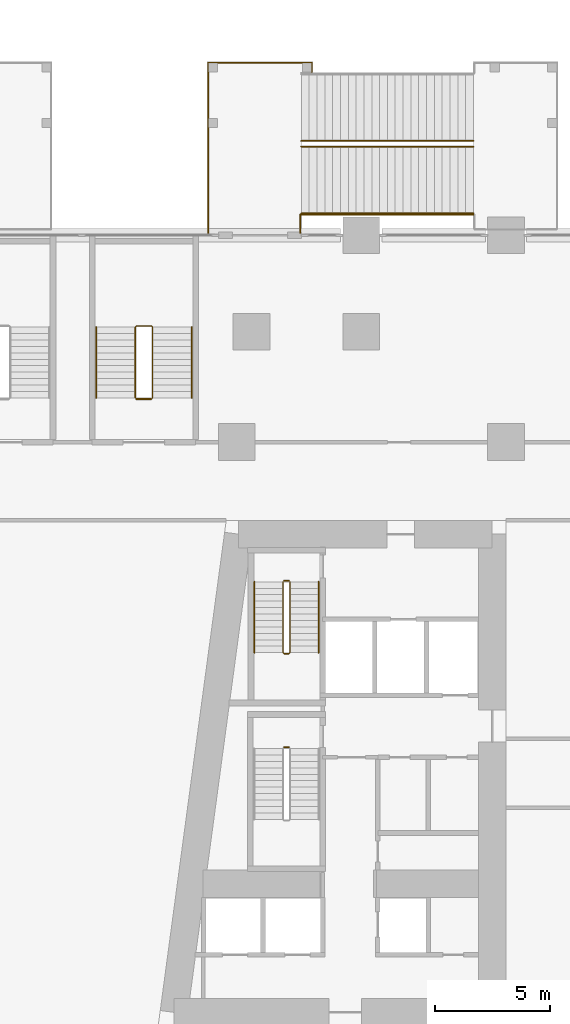
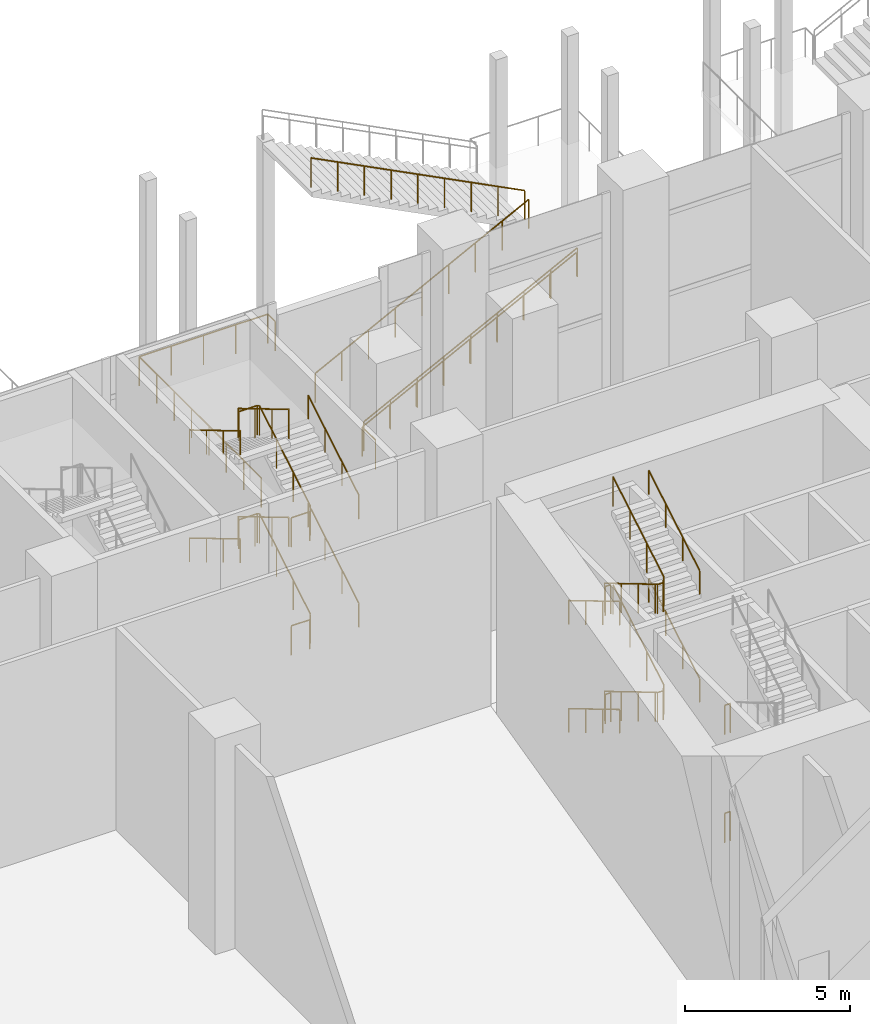
# One storey, part 45 of 52: 24 railings.
"""IFC4 building model written with IfcOpenShell, lengths in metres."""

from ifc_helpers import new_model, si_unit, direction, frame, origin, origin_2d, place, context, subcontext, project, spatial, circle, extrude, material, type_object, element, save


model = new_model("IFC4")

# Units and contexts
model_context = context("Model", 3, precision=1e-05, world=origin(), true_north=direction((0.0, 1.0)))
body_context = subcontext(model_context, "Body", "Model", "MODEL_VIEW")
ifc_project = project(units=[si_unit("LENGTHUNIT", "METRE"), si_unit("AREAUNIT", "SQUARE_METRE"), si_unit("VOLUMEUNIT", "CUBIC_METRE"), si_unit("PLANEANGLEUNIT", "RADIAN"), si_unit("MASSUNIT", "GRAM", prefix="KILO")], contexts=[model_context])

# Site, building, storey
site_placement = place(None, origin())
site = spatial("IfcSite", under=ifc_project, at=site_placement, CompositionType="ELEMENT")
building_placement = place(site_placement, origin())
building = spatial("IfcBuilding", under=site, at=building_placement, Name="Candeia Pilgrim Tower and Theatre", CompositionType="ELEMENT")
storey_placement = place(building_placement, frame((0.0, 0.0, 9.0)))
storey = spatial("IfcBuildingStorey", under=building, at=storey_placement, Name="L01", CompositionType="ELEMENT", Elevation=9.0)

# Railings
ifc_material_1 = material(Name="Stainless steel balustrade", Category="steel")
railing_type_1 = type_object("IfcRailingType", Name="RL-GUARD-1100", PredefinedType="GUARDRAIL", material=ifc_material_1)
for number, where, name in (
    (1, (91.152099609375, 122.52490234375, 4.0), "L01 ST1 stair guard 2"),
    (2, (91.152099609375, 122.52490234375, 0.0), "L01 ST1 stair guard 4"),
):
    element("IfcRailing", number, at=place(storey_placement, frame(where)), inside=storey, type_object=railing_type_1, Name=name, PredefinedType="GUARDRAIL", context=body_context, shape_type="SweptSolid", body=[
        extrude(circle(Radius=0.02392578125, at=origin_2d()), frame((0.0, 0.0, 1.076171875), z_axis=(1.0, 0.0, 0.0), x_axis=(0.0, 1.0, 0.0)), (0.0, 0.0, 1.0), 0.199951171875),
        extrude(circle(Radius=0.02099609375, at=origin_2d()), origin(), (0.0, 0.0, 1.0), 1.052001953125),
        extrude(circle(Radius=0.02099609375, at=origin_2d()), frame((0.199951171875, 0.0, 0.0)), (0.0, 0.0, 1.0), 1.052001953125),
    ])
railing_1_placement = place(storey_placement, frame((91.10205078125, 129.72509765625, 0.166748046875)))
element("IfcRailing", 3, at=railing_1_placement, inside=storey, type_object=railing_type_1, Name="L01 ST2 stair guard 1", PredefinedType="GUARDRAIL", context=body_context, shape_type="SweptSolid", body=[
    extrude(circle(Radius=0.02392578125, at=origin_2d()), frame((0.0, 0.0, 1.076171875), z_axis=(0.0, -0.859308565015, 0.511457515432), x_axis=(1.0, 0.0, 0.0)), (0.0, 0.0, 1.0), 3.58447265625),
    extrude(circle(Radius=0.02392578125, at=origin_2d()), frame((0.0, -3.080078125, 2.9091796875), z_axis=(0.707106781187, -0.707106781187, 0.0), x_axis=(0.707106781187, 0.707106781187, 0.0)), (0.0, 0.0, 1.0), 0.07080078125),
    extrude(circle(Radius=0.02392578125, at=origin_2d()), frame((0.050048828125, -3.130126953125, 2.9091796875), z_axis=(1.0, 0.0, 0.0), x_axis=(0.0, 1.0, 0.0)), (0.0, 0.0, 1.0), 0.199951171875),
    extrude(circle(Radius=0.02392578125, at=origin_2d()), frame((0.25, -3.130126953125, 2.9091796875), z_axis=(0.27628659633, 0.27628659633, 0.920506074601), x_axis=(-0.707106781187, 0.707106781187, 0.0)), (0.0, 0.0, 1.0), 0.18115234375),
    extrude(circle(Radius=0.02392578125, at=origin_2d()), frame((0.300048828125, -3.080078125, 3.076171875), z_axis=(0.0, 0.859308565015, 0.511457515432), x_axis=(-1.0, 0.0, 0.0)), (0.0, 0.0, 1.0), 3.58447265625),
    extrude(circle(Radius=0.02099609375, at=origin_2d()), origin(), (0.0, 0.0, 1.0), 1.052001953125),
    extrude(circle(Radius=0.02099609375, at=origin_2d()), frame((0.0, -1.026611328125, 0.611083984375)), (0.0, 0.0, 1.0), 1.052001953125),
    extrude(circle(Radius=0.02099609375, at=origin_2d()), frame((0.0, -2.053466796875, 1.22216796875)), (0.0, 0.0, 1.0), 1.052001953125),
    extrude(circle(Radius=0.02099609375, at=origin_2d()), frame((0.0, -3.080078125, 1.833251953125)), (0.0, 0.0, 1.0), 1.052001953125),
    extrude(circle(Radius=0.02099609375, at=origin_2d()), frame((0.050048828125, -3.130126953125, 1.833251953125)), (0.0, 0.0, 1.0), 1.052001953125),
    extrude(circle(Radius=0.02099609375, at=origin_2d()), frame((0.25, -3.130126953125, 1.833251953125)), (0.0, 0.0, 1.0), 1.052001953125),
    extrude(circle(Radius=0.02099609375, at=origin_2d()), frame((0.300048828125, -3.080078125, 2.0)), (0.0, 0.0, 1.0), 1.052001953125),
    extrude(circle(Radius=0.02099609375, at=origin_2d()), frame((0.300048828125, -2.053466796875, 2.611083984375)), (0.0, 0.0, 1.0), 1.052001953125),
    extrude(circle(Radius=0.02099609375, at=origin_2d()), frame((0.300048828125, -1.026611328125, 3.22216796875)), (0.0, 0.0, 1.0), 1.052001953125),
    extrude(circle(Radius=0.02099609375, at=origin_2d()), frame((0.300048828125, 0.0, 3.833251953125)), (0.0, 0.0, 1.0), 1.052001953125),
])
railing_2_placement = place(storey_placement, frame((91.152099609375, 129.77490234375, 4.0)))
element("IfcRailing", 4, at=railing_2_placement, inside=storey, type_object=railing_type_1, Name="L01 ST2 stair guard 2", PredefinedType="GUARDRAIL", context=body_context, shape_type="SweptSolid", body=[
    extrude(circle(Radius=0.02392578125, at=origin_2d()), frame((0.0, 0.0, 1.076171875), z_axis=(1.0, 0.0, 0.0), x_axis=(0.0, 1.0, 0.0)), (0.0, 0.0, 1.0), 0.199951171875),
    extrude(circle(Radius=0.02099609375, at=origin_2d()), origin(), (0.0, 0.0, 1.0), 1.052001953125),
    extrude(circle(Radius=0.02099609375, at=origin_2d()), frame((0.199951171875, 0.0, 0.0)), (0.0, 0.0, 1.0), 1.052001953125),
])
railing_3_placement = place(storey_placement, frame((91.10205078125, 129.72509765625, 4.166748046875)))
element("IfcRailing", 5, at=railing_3_placement, inside=storey, type_object=railing_type_1, Name="L01 ST2 stair guard 3", PredefinedType="GUARDRAIL", context=body_context, shape_type="SweptSolid", body=[
    extrude(circle(Radius=0.02392578125, at=origin_2d()), frame((0.0, 0.0, 1.076171875), z_axis=(0.0, -0.859308565015, 0.511457515432), x_axis=(1.0, 0.0, 0.0)), (0.0, 0.0, 1.0), 3.58447265625),
    extrude(circle(Radius=0.02392578125, at=origin_2d()), frame((0.0, -3.080078125, 2.9091796875), z_axis=(0.707106781187, -0.707106781187, 0.0), x_axis=(0.707106781187, 0.707106781187, 0.0)), (0.0, 0.0, 1.0), 0.07080078125),
    extrude(circle(Radius=0.02392578125, at=origin_2d()), frame((0.050048828125, -3.130126953125, 2.9091796875), z_axis=(1.0, 0.0, 0.0), x_axis=(0.0, 1.0, 0.0)), (0.0, 0.0, 1.0), 0.199951171875),
    extrude(circle(Radius=0.02392578125, at=origin_2d()), frame((0.25, -3.130126953125, 2.9091796875), z_axis=(0.27628659633, 0.27628659633, 0.920506074601), x_axis=(-0.707106781187, 0.707106781187, 0.0)), (0.0, 0.0, 1.0), 0.18115234375),
    extrude(circle(Radius=0.02392578125, at=origin_2d()), frame((0.300048828125, -3.080078125, 3.076171875), z_axis=(0.0, 0.859308565015, 0.511457515432), x_axis=(-1.0, 0.0, 0.0)), (0.0, 0.0, 1.0), 3.58447265625),
    extrude(circle(Radius=0.02099609375, at=origin_2d()), origin(), (0.0, 0.0, 1.0), 1.052001953125),
    extrude(circle(Radius=0.02099609375, at=origin_2d()), frame((0.0, -1.026611328125, 0.611083984375)), (0.0, 0.0, 1.0), 1.052001953125),
    extrude(circle(Radius=0.02099609375, at=origin_2d()), frame((0.0, -2.053466796875, 1.22216796875)), (0.0, 0.0, 1.0), 1.052001953125),
    extrude(circle(Radius=0.02099609375, at=origin_2d()), frame((0.0, -3.080078125, 1.833251953125)), (0.0, 0.0, 1.0), 1.052001953125),
    extrude(circle(Radius=0.02099609375, at=origin_2d()), frame((0.050048828125, -3.130126953125, 1.833251953125)), (0.0, 0.0, 1.0), 1.052001953125),
    extrude(circle(Radius=0.02099609375, at=origin_2d()), frame((0.25, -3.130126953125, 1.833251953125)), (0.0, 0.0, 1.0), 1.052001953125),
    extrude(circle(Radius=0.02099609375, at=origin_2d()), frame((0.300048828125, -3.080078125, 2.0)), (0.0, 0.0, 1.0), 1.052001953125),
    extrude(circle(Radius=0.02099609375, at=origin_2d()), frame((0.300048828125, -2.053466796875, 2.611083984375)), (0.0, 0.0, 1.0), 1.052001953125),
    extrude(circle(Radius=0.02099609375, at=origin_2d()), frame((0.300048828125, -1.026611328125, 3.22216796875)), (0.0, 0.0, 1.0), 1.052001953125),
    extrude(circle(Radius=0.02099609375, at=origin_2d()), frame((0.300048828125, 0.0, 3.833251953125)), (0.0, 0.0, 1.0), 1.052001953125),
])
railing_4_placement = place(storey_placement, frame((91.152099609375, 129.77490234375, 0.0)))
element("IfcRailing", 6, at=railing_4_placement, inside=storey, type_object=railing_type_1, Name="L01 ST2 stair guard 4", PredefinedType="GUARDRAIL", context=body_context, shape_type="SweptSolid", body=[
    extrude(circle(Radius=0.02392578125, at=origin_2d()), frame((0.0, 0.0, 1.076171875), z_axis=(1.0, 0.0, 0.0), x_axis=(0.0, 1.0, 0.0)), (0.0, 0.0, 1.0), 0.199951171875),
    extrude(circle(Radius=0.02099609375, at=origin_2d()), origin(), (0.0, 0.0, 1.0), 1.052001953125),
    extrude(circle(Radius=0.02099609375, at=origin_2d()), frame((0.199951171875, 0.0, 0.0)), (0.0, 0.0, 1.0), 1.052001953125),
])
railing_5_placement = place(storey_placement, frame((85.425048828125, 137.72509765625, 0.166748046875)))
element("IfcRailing", 7, at=railing_5_placement, inside=storey, type_object=railing_type_1, Name="L01 PS2 stair guard 1", PredefinedType="GUARDRAIL", context=body_context, shape_type="SweptSolid", body=[
    extrude(circle(Radius=0.02392578125, at=origin_2d()), frame((0.0, 0.0, 1.076171875), z_axis=(0.0, 0.859290745958, 0.51148745235), x_axis=(-1.0, 0.0, 0.0)), (0.0, 0.0, 1.0), 3.584228515625),
    extrude(circle(Radius=0.02392578125, at=origin_2d()), frame((0.0, 3.079833984375, 2.9091796875), z_axis=(-0.707106781187, 0.707106781187, 0.0), x_axis=(-0.707106781187, -0.707106781187, 0.0)), (0.0, 0.0, 1.0), 0.07080078125),
    extrude(circle(Radius=0.02392578125, at=origin_2d()), frame((-0.050048828125, 3.1298828125, 2.9091796875), z_axis=(-1.0, 0.0, 0.0), x_axis=(0.0, -1.0, 0.0)), (0.0, 0.0, 1.0), 0.64990234375),
    extrude(circle(Radius=0.02392578125, at=origin_2d()), frame((-0.699951171875, 3.1298828125, 2.9091796875), z_axis=(-0.27628659633, -0.27628659633, 0.920506074601), x_axis=(0.707106781187, -0.707106781187, 0.0)), (0.0, 0.0, 1.0), 0.18115234375),
    extrude(circle(Radius=0.02392578125, at=origin_2d()), frame((-0.75, 3.079833984375, 3.076171875), z_axis=(0.0, -0.859290745958, 0.51148745235), x_axis=(1.0, 0.0, 0.0)), (0.0, 0.0, 1.0), 3.584228515625),
    extrude(circle(Radius=0.02099609375, at=origin_2d()), origin(), (0.0, 0.0, 1.0), 1.052001953125),
    extrude(circle(Radius=0.02099609375, at=origin_2d()), frame((0.0, 1.026611328125, 0.611083984375)), (0.0, 0.0, 1.0), 1.052001953125),
    extrude(circle(Radius=0.02099609375, at=origin_2d()), frame((0.0, 2.05322265625, 1.22216796875)), (0.0, 0.0, 1.0), 1.052001953125),
    extrude(circle(Radius=0.02099609375, at=origin_2d()), frame((0.0, 3.079833984375, 1.833251953125)), (0.0, 0.0, 1.0), 1.052001953125),
    extrude(circle(Radius=0.02099609375, at=origin_2d()), frame((-0.050048828125, 3.1298828125, 1.833251953125)), (0.0, 0.0, 1.0), 1.052001953125),
    extrude(circle(Radius=0.02099609375, at=origin_2d()), frame((-0.699951171875, 3.1298828125, 1.833251953125)), (0.0, 0.0, 1.0), 1.052001953125),
    extrude(circle(Radius=0.02099609375, at=origin_2d()), frame((-0.75, 3.079833984375, 2.0)), (0.0, 0.0, 1.0), 1.052001953125),
    extrude(circle(Radius=0.02099609375, at=origin_2d()), frame((-0.75, 2.05322265625, 2.611083984375)), (0.0, 0.0, 1.0), 1.052001953125),
    extrude(circle(Radius=0.02099609375, at=origin_2d()), frame((-0.75, 1.026611328125, 3.22216796875)), (0.0, 0.0, 1.0), 1.052001953125),
    extrude(circle(Radius=0.02099609375, at=origin_2d()), frame((-0.75, 0.0, 3.833251953125)), (0.0, 0.0, 1.0), 1.052001953125),
])
railing_6_placement = place(storey_placement, frame((85.375, 137.675048828125, 4.0)))
element("IfcRailing", 8, at=railing_6_placement, inside=storey, type_object=railing_type_1, Name="L01 PS2 stair guard 2", PredefinedType="GUARDRAIL", context=body_context, shape_type="SweptSolid", body=[
    extrude(circle(Radius=0.02392578125, at=origin_2d()), frame((0.0, 0.0, 1.076171875), z_axis=(-1.0, 0.0, 0.0), x_axis=(0.0, -1.0, 0.0)), (0.0, 0.0, 1.0), 0.64990234375),
    extrude(circle(Radius=0.02099609375, at=origin_2d()), origin(), (0.0, 0.0, 1.0), 1.052001953125),
    extrude(circle(Radius=0.02099609375, at=origin_2d()), frame((-0.64990234375, 0.0, 0.0)), (0.0, 0.0, 1.0), 1.052001953125),
])
railing_7_placement = place(storey_placement, frame((85.425048828125, 137.72509765625, 4.166748046875)))
element("IfcRailing", 9, at=railing_7_placement, inside=storey, type_object=railing_type_1, Name="L01 PS2 stair guard 3", PredefinedType="GUARDRAIL", context=body_context, shape_type="SweptSolid", body=[
    extrude(circle(Radius=0.02392578125, at=origin_2d()), frame((0.0, 0.0, 1.076171875), z_axis=(0.0, 0.859290745958, 0.51148745235), x_axis=(-1.0, 0.0, 0.0)), (0.0, 0.0, 1.0), 3.584228515625),
    extrude(circle(Radius=0.02392578125, at=origin_2d()), frame((0.0, 3.079833984375, 2.9091796875), z_axis=(-0.707106781187, 0.707106781187, 0.0), x_axis=(-0.707106781187, -0.707106781187, 0.0)), (0.0, 0.0, 1.0), 0.07080078125),
    extrude(circle(Radius=0.02392578125, at=origin_2d()), frame((-0.050048828125, 3.1298828125, 2.9091796875), z_axis=(-1.0, 0.0, 0.0), x_axis=(0.0, -1.0, 0.0)), (0.0, 0.0, 1.0), 0.64990234375),
    extrude(circle(Radius=0.02392578125, at=origin_2d()), frame((-0.699951171875, 3.1298828125, 2.9091796875), z_axis=(-0.27628659633, -0.27628659633, 0.920506074601), x_axis=(0.707106781187, -0.707106781187, 0.0)), (0.0, 0.0, 1.0), 0.18115234375),
    extrude(circle(Radius=0.02392578125, at=origin_2d()), frame((-0.75, 3.079833984375, 3.076171875), z_axis=(0.0, -0.859290745958, 0.51148745235), x_axis=(1.0, 0.0, 0.0)), (0.0, 0.0, 1.0), 3.584228515625),
    extrude(circle(Radius=0.02099609375, at=origin_2d()), origin(), (0.0, 0.0, 1.0), 1.052001953125),
    extrude(circle(Radius=0.02099609375, at=origin_2d()), frame((0.0, 1.026611328125, 0.611083984375)), (0.0, 0.0, 1.0), 1.052001953125),
    extrude(circle(Radius=0.02099609375, at=origin_2d()), frame((0.0, 2.05322265625, 1.22216796875)), (0.0, 0.0, 1.0), 1.052001953125),
    extrude(circle(Radius=0.02099609375, at=origin_2d()), frame((0.0, 3.079833984375, 1.833251953125)), (0.0, 0.0, 1.0), 1.052001953125),
    extrude(circle(Radius=0.02099609375, at=origin_2d()), frame((-0.050048828125, 3.1298828125, 1.833251953125)), (0.0, 0.0, 1.0), 1.052001953125),
    extrude(circle(Radius=0.02099609375, at=origin_2d()), frame((-0.699951171875, 3.1298828125, 1.833251953125)), (0.0, 0.0, 1.0), 1.052001953125),
    extrude(circle(Radius=0.02099609375, at=origin_2d()), frame((-0.75, 3.079833984375, 2.0)), (0.0, 0.0, 1.0), 1.052001953125),
    extrude(circle(Radius=0.02099609375, at=origin_2d()), frame((-0.75, 2.05322265625, 2.611083984375)), (0.0, 0.0, 1.0), 1.052001953125),
    extrude(circle(Radius=0.02099609375, at=origin_2d()), frame((-0.75, 1.026611328125, 3.22216796875)), (0.0, 0.0, 1.0), 1.052001953125),
    extrude(circle(Radius=0.02099609375, at=origin_2d()), frame((-0.75, 0.0, 3.833251953125)), (0.0, 0.0, 1.0), 1.052001953125),
])
railing_8_placement = place(storey_placement, frame((85.375, 137.675048828125, 0.0)))
element("IfcRailing", 10, at=railing_8_placement, inside=storey, type_object=railing_type_1, Name="L01 PS2 stair guard 4", PredefinedType="GUARDRAIL", context=body_context, shape_type="SweptSolid", body=[
    extrude(circle(Radius=0.02392578125, at=origin_2d()), frame((0.0, 0.0, 1.076171875), z_axis=(-1.0, 0.0, 0.0), x_axis=(0.0, -1.0, 0.0)), (0.0, 0.0, 1.0), 0.64990234375),
    extrude(circle(Radius=0.02099609375, at=origin_2d()), origin(), (0.0, 0.0, 1.0), 1.052001953125),
    extrude(circle(Radius=0.02099609375, at=origin_2d()), frame((-0.64990234375, 0.0, 0.0)), (0.0, 0.0, 1.0), 1.052001953125),
])
railing_9_placement = place(storey_placement, frame((91.89990234375, 148.64990234375, 0.173828125)))
element("IfcRailing", 11, at=railing_9_placement, inside=storey, type_object=railing_type_1, Name="L01 ES5 stair guard 1", PredefinedType="GUARDRAIL", context=body_context, shape_type="SweptSolid", body=[
    extrude(circle(Radius=0.02392578125, at=origin_2d()), frame((0.0, 0.0, 1.076171875), z_axis=(0.890286522184, 0.0, 0.455400821714), x_axis=(0.0, 1.0, 0.0)), (0.0, 0.0, 1.0), 8.40185546875),
    extrude(circle(Radius=0.02099609375, at=origin_2d()), origin(), (0.0, 0.0, 1.0), 1.052001953125),
    extrude(circle(Radius=0.02099609375, at=origin_2d()), frame((0.93505859375, 0.0, 0.478271484375)), (0.0, 0.0, 1.0), 1.052001953125),
    extrude(circle(Radius=0.02099609375, at=origin_2d()), frame((1.8701171875, 0.0, 0.95654296875)), (0.0, 0.0, 1.0), 1.052001953125),
    extrude(circle(Radius=0.02099609375, at=origin_2d()), frame((2.804931640625, 0.0, 1.434814453125)), (0.0, 0.0, 1.0), 1.052001953125),
    extrude(circle(Radius=0.02099609375, at=origin_2d()), frame((3.739990234375, 0.0, 1.9130859375)), (0.0, 0.0, 1.0), 1.052001953125),
    extrude(circle(Radius=0.02099609375, at=origin_2d()), frame((4.675048828125, 0.0, 2.391357421875)), (0.0, 0.0, 1.0), 1.052001953125),
    extrude(circle(Radius=0.02099609375, at=origin_2d()), frame((5.60986328125, 0.0, 2.86962890625)), (0.0, 0.0, 1.0), 1.052001953125),
    extrude(circle(Radius=0.02099609375, at=origin_2d()), frame((6.544921875, 0.0, 3.347900390625)), (0.0, 0.0, 1.0), 1.052001953125),
    extrude(circle(Radius=0.02099609375, at=origin_2d()), frame((7.47998046875, 0.0, 3.826171875)), (0.0, 0.0, 1.0), 1.052001953125),
])
railing_10_placement = place(storey_placement, frame((99.3798828125, 148.89990234375, 4.173828125)))
element("IfcRailing", 12, at=railing_10_placement, inside=storey, type_object=railing_type_1, Name="L01 ES5 stair guard 2", PredefinedType="GUARDRAIL", context=body_context, shape_type="SweptSolid", body=[
    extrude(circle(Radius=0.02392578125, at=origin_2d()), frame((0.0, 0.0, 1.076171875), z_axis=(-0.890286522184, 0.0, 0.455400821714), x_axis=(0.0, -1.0, 0.0)), (0.0, 0.0, 1.0), 8.40185546875),
    extrude(circle(Radius=0.02099609375, at=origin_2d()), origin(), (0.0, 0.0, 1.0), 1.052001953125),
    extrude(circle(Radius=0.02099609375, at=origin_2d()), frame((-0.93505859375, 0.0, 0.478271484375)), (0.0, 0.0, 1.0), 1.052001953125),
    extrude(circle(Radius=0.02099609375, at=origin_2d()), frame((-1.8701171875, 0.0, 0.95654296875)), (0.0, 0.0, 1.0), 1.052001953125),
    extrude(circle(Radius=0.02099609375, at=origin_2d()), frame((-2.804931640625, 0.0, 1.434814453125)), (0.0, 0.0, 1.0), 1.052001953125),
    extrude(circle(Radius=0.02099609375, at=origin_2d()), frame((-3.739990234375, 0.0, 1.9130859375)), (0.0, 0.0, 1.0), 1.052001953125),
    extrude(circle(Radius=0.02099609375, at=origin_2d()), frame((-4.675048828125, 0.0, 2.391357421875)), (0.0, 0.0, 1.0), 1.052001953125),
    extrude(circle(Radius=0.02099609375, at=origin_2d()), frame((-5.60986328125, 0.0, 2.86962890625)), (0.0, 0.0, 1.0), 1.052001953125),
    extrude(circle(Radius=0.02099609375, at=origin_2d()), frame((-6.544921875, 0.0, 3.347900390625)), (0.0, 0.0, 1.0), 1.052001953125),
    extrude(circle(Radius=0.02099609375, at=origin_2d()), frame((-7.47998046875, 0.0, 3.826171875)), (0.0, 0.0, 1.0), 1.052001953125),
])
railing_11_placement = place(storey_placement, frame((91.89990234375, 145.699951171875, 0.173828125)))
element("IfcRailing", 13, at=railing_11_placement, inside=storey, type_object=railing_type_1, Name="L01 ES5 stair guard 3", PredefinedType="GUARDRAIL", context=body_context, shape_type="SweptSolid", body=[
    extrude(circle(Radius=0.02392578125, at=origin_2d()), frame((0.0, 0.0, 1.076171875), z_axis=(0.890286522184, 0.0, 0.455400821714), x_axis=(0.0, 1.0, 0.0)), (0.0, 0.0, 1.0), 8.40185546875),
    extrude(circle(Radius=0.02099609375, at=origin_2d()), origin(), (0.0, 0.0, 1.0), 1.052001953125),
    extrude(circle(Radius=0.02099609375, at=origin_2d()), frame((0.93505859375, 0.0, 0.478271484375)), (0.0, 0.0, 1.0), 1.052001953125),
    extrude(circle(Radius=0.02099609375, at=origin_2d()), frame((1.8701171875, 0.0, 0.95654296875)), (0.0, 0.0, 1.0), 1.052001953125),
    extrude(circle(Radius=0.02099609375, at=origin_2d()), frame((2.804931640625, 0.0, 1.434814453125)), (0.0, 0.0, 1.0), 1.052001953125),
    extrude(circle(Radius=0.02099609375, at=origin_2d()), frame((3.739990234375, 0.0, 1.9130859375)), (0.0, 0.0, 1.0), 1.052001953125),
    extrude(circle(Radius=0.02099609375, at=origin_2d()), frame((4.675048828125, 0.0, 2.391357421875)), (0.0, 0.0, 1.0), 1.052001953125),
    extrude(circle(Radius=0.02099609375, at=origin_2d()), frame((5.60986328125, 0.0, 2.86962890625)), (0.0, 0.0, 1.0), 1.052001953125),
    extrude(circle(Radius=0.02099609375, at=origin_2d()), frame((6.544921875, 0.0, 3.347900390625)), (0.0, 0.0, 1.0), 1.052001953125),
    extrude(circle(Radius=0.02099609375, at=origin_2d()), frame((7.47998046875, 0.0, 3.826171875)), (0.0, 0.0, 1.0), 1.052001953125),
])
railing_12_placement = place(storey_placement, frame((87.85009765625, 144.89990234375, 0.0)))
element("IfcRailing", 14, at=railing_12_placement, inside=storey, type_object=railing_type_1, Name="L01 External escape stair ES5 landing guard", PredefinedType="GUARDRAIL", context=body_context, shape_type="SweptSolid", body=[
    extrude(circle(Radius=0.02392578125, at=origin_2d()), frame((0.0, 0.0, 1.076171875), z_axis=(0.0, 1.0, 0.0), x_axis=(-1.0, 0.0, 0.0)), (0.0, 0.0, 1.0), 7.400146484375),
    extrude(circle(Radius=0.02392578125, at=origin_2d()), frame((0.0, 7.400146484375, 1.076171875), z_axis=(1.0, 0.0, 0.0), x_axis=(0.0, 1.0, 0.0)), (0.0, 0.0, 1.0), 4.5),
    extrude(circle(Radius=0.02392578125, at=origin_2d()), frame((4.5, 7.400146484375, 1.076171875), z_axis=(0.0, -1.0, 0.0), x_axis=(1.0, 0.0, 0.0)), (0.0, 0.0, 1.0), 0.449951171875),
    extrude(circle(Radius=0.02099609375, at=origin_2d()), origin(), (0.0, 0.0, 1.0), 1.052001953125),
    extrude(circle(Radius=0.02099609375, at=origin_2d()), frame((0.0, 1.05712890625, 0.0)), (0.0, 0.0, 1.0), 1.052001953125),
    extrude(circle(Radius=0.02099609375, at=origin_2d()), frame((0.0, 2.1142578125, 0.0)), (0.0, 0.0, 1.0), 1.052001953125),
    extrude(circle(Radius=0.02099609375, at=origin_2d()), frame((0.0, 3.17138671875, 0.0)), (0.0, 0.0, 1.0), 1.052001953125),
    extrude(circle(Radius=0.02099609375, at=origin_2d()), frame((0.0, 4.228759765625, 0.0)), (0.0, 0.0, 1.0), 1.052001953125),
    extrude(circle(Radius=0.02099609375, at=origin_2d()), frame((0.0, 5.285888671875, 0.0)), (0.0, 0.0, 1.0), 1.052001953125),
    extrude(circle(Radius=0.02099609375, at=origin_2d()), frame((0.0, 6.343017578125, 0.0)), (0.0, 0.0, 1.0), 1.052001953125),
    extrude(circle(Radius=0.02099609375, at=origin_2d()), frame((0.0, 7.400146484375, 0.0)), (0.0, 0.0, 1.0), 1.052001953125),
    extrude(circle(Radius=0.02099609375, at=origin_2d()), frame((1.125, 7.400146484375, 0.0)), (0.0, 0.0, 1.0), 1.052001953125),
    extrude(circle(Radius=0.02099609375, at=origin_2d()), frame((2.25, 7.400146484375, 0.0)), (0.0, 0.0, 1.0), 1.052001953125),
    extrude(circle(Radius=0.02099609375, at=origin_2d()), frame((3.375, 7.400146484375, 0.0)), (0.0, 0.0, 1.0), 1.052001953125),
    extrude(circle(Radius=0.02099609375, at=origin_2d()), frame((4.5, 7.400146484375, 0.0)), (0.0, 0.0, 1.0), 1.052001953125),
    extrude(circle(Radius=0.02099609375, at=origin_2d()), frame((4.5, 6.9501953125, 0.0)), (0.0, 0.0, 1.0), 1.052001953125),
])
railing_13_placement = place(storey_placement, frame((91.85009765625, 144.89990234375, 0.0)))
element("IfcRailing", 15, at=railing_13_placement, inside=storey, type_object=railing_type_1, Name="L01 External escape stair ES5 bridge guard", PredefinedType="GUARDRAIL", context=body_context, shape_type="SweptSolid", body=[
    extrude(circle(Radius=0.02392578125, at=origin_2d()), frame((0.0, 0.0, 1.076171875), z_axis=(0.0, 1.0, 0.0), x_axis=(-1.0, 0.0, 0.0)), (0.0, 0.0, 1.0), 0.800048828125),
    extrude(circle(Radius=0.02099609375, at=origin_2d()), origin(), (0.0, 0.0, 1.0), 1.052001953125),
    extrude(circle(Radius=0.02099609375, at=origin_2d()), frame((0.0, 0.800048828125, 0.0)), (0.0, 0.0, 1.0), 1.052001953125),
])
ifc_material_2 = material(Name="Stainless steel handrail", Category="steel")
railing_type_2 = type_object("IfcRailingType", Name="RL-HANDRAIL-900", PredefinedType="HANDRAIL", material=ifc_material_2)
railing_14_placement = place(storey_placement, frame((89.85205078125, 129.72509765625, 0.166748046875)))
element("IfcRailing", 16, at=railing_14_placement, inside=storey, type_object=railing_type_2, Name="L01 ST2 stair handrail 1", PredefinedType="HANDRAIL", context=body_context, shape_type="SweptSolid", body=[
    extrude(circle(Radius=0.02392578125, at=origin_2d()), frame((0.0, 0.0, 0.8759765625), z_axis=(0.0, -0.859308565015, 0.511457515432), x_axis=(1.0, 0.0, 0.0)), (0.0, 0.0, 1.0), 3.58447265625),
    extrude(circle(Radius=0.02099609375, at=origin_2d()), origin(), (0.0, 0.0, 1.0), 0.851806640625),
    extrude(circle(Radius=0.02099609375, at=origin_2d()), frame((0.0, -1.026611328125, 0.611083984375)), (0.0, 0.0, 1.0), 0.851806640625),
    extrude(circle(Radius=0.02099609375, at=origin_2d()), frame((0.0, -2.053466796875, 1.22216796875)), (0.0, 0.0, 1.0), 0.851806640625),
    extrude(circle(Radius=0.02099609375, at=origin_2d()), frame((0.0, -3.080078125, 1.833251953125)), (0.0, 0.0, 1.0), 0.851806640625),
])
railing_15_placement = place(storey_placement, frame((92.652099609375, 126.64501953125, 2.166748046875)))
element("IfcRailing", 17, at=railing_15_placement, inside=storey, type_object=railing_type_2, Name="L01 ST2 stair handrail 2", PredefinedType="HANDRAIL", context=body_context, shape_type="SweptSolid", body=[
    extrude(circle(Radius=0.02392578125, at=origin_2d()), frame((0.0, 0.0, 0.8759765625), z_axis=(0.0, 0.859308565015, 0.511457515432), x_axis=(-1.0, 0.0, 0.0)), (0.0, 0.0, 1.0), 3.58447265625),
    extrude(circle(Radius=0.02099609375, at=origin_2d()), origin(), (0.0, 0.0, 1.0), 0.851806640625),
    extrude(circle(Radius=0.02099609375, at=origin_2d()), frame((0.0, 1.026611328125, 0.611083984375)), (0.0, 0.0, 1.0), 0.851806640625),
    extrude(circle(Radius=0.02099609375, at=origin_2d()), frame((0.0, 2.053466796875, 1.22216796875)), (0.0, 0.0, 1.0), 0.851806640625),
    extrude(circle(Radius=0.02099609375, at=origin_2d()), frame((0.0, 3.080078125, 1.833251953125)), (0.0, 0.0, 1.0), 0.851806640625),
])
railing_16_placement = place(storey_placement, frame((89.85205078125, 129.72509765625, 4.166748046875)))
element("IfcRailing", 18, at=railing_16_placement, inside=storey, type_object=railing_type_2, Name="L01 ST2 stair handrail 3", PredefinedType="HANDRAIL", context=body_context, shape_type="SweptSolid", body=[
    extrude(circle(Radius=0.02392578125, at=origin_2d()), frame((0.0, 0.0, 0.8759765625), z_axis=(0.0, -0.859308565015, 0.511457515432), x_axis=(1.0, 0.0, 0.0)), (0.0, 0.0, 1.0), 3.58447265625),
    extrude(circle(Radius=0.02099609375, at=origin_2d()), origin(), (0.0, 0.0, 1.0), 0.851806640625),
    extrude(circle(Radius=0.02099609375, at=origin_2d()), frame((0.0, -1.026611328125, 0.611083984375)), (0.0, 0.0, 1.0), 0.851806640625),
    extrude(circle(Radius=0.02099609375, at=origin_2d()), frame((0.0, -2.053466796875, 1.22216796875)), (0.0, 0.0, 1.0), 0.851806640625),
    extrude(circle(Radius=0.02099609375, at=origin_2d()), frame((0.0, -3.080078125, 1.833251953125)), (0.0, 0.0, 1.0), 0.851806640625),
])
railing_17_placement = place(storey_placement, frame((92.652099609375, 126.64501953125, 6.166748046875)))
element("IfcRailing", 19, at=railing_17_placement, inside=storey, type_object=railing_type_2, Name="L01 ST2 stair handrail 4", PredefinedType="HANDRAIL", context=body_context, shape_type="SweptSolid", body=[
    extrude(circle(Radius=0.02392578125, at=origin_2d()), frame((0.0, 0.0, 0.8759765625), z_axis=(0.0, 0.859308565015, 0.511457515432), x_axis=(-1.0, 0.0, 0.0)), (0.0, 0.0, 1.0), 3.58447265625),
    extrude(circle(Radius=0.02099609375, at=origin_2d()), origin(), (0.0, 0.0, 1.0), 0.851806640625),
    extrude(circle(Radius=0.02099609375, at=origin_2d()), frame((0.0, 1.026611328125, 0.611083984375)), (0.0, 0.0, 1.0), 0.851806640625),
    extrude(circle(Radius=0.02099609375, at=origin_2d()), frame((0.0, 2.053466796875, 1.22216796875)), (0.0, 0.0, 1.0), 0.851806640625),
    extrude(circle(Radius=0.02099609375, at=origin_2d()), frame((0.0, 3.080078125, 1.833251953125)), (0.0, 0.0, 1.0), 0.851806640625),
])
railing_18_placement = place(storey_placement, frame((87.125, 137.72509765625, 0.166748046875)))
element("IfcRailing", 20, at=railing_18_placement, inside=storey, type_object=railing_type_2, Name="L01 PS2 stair handrail 1", PredefinedType="HANDRAIL", context=body_context, shape_type="SweptSolid", body=[
    extrude(circle(Radius=0.02392578125, at=origin_2d()), frame((0.0, 0.0, 0.8759765625), z_axis=(0.0, 0.859290745958, 0.51148745235), x_axis=(-1.0, 0.0, 0.0)), (0.0, 0.0, 1.0), 3.584228515625),
    extrude(circle(Radius=0.02099609375, at=origin_2d()), origin(), (0.0, 0.0, 1.0), 0.851806640625),
    extrude(circle(Radius=0.02099609375, at=origin_2d()), frame((0.0, 1.026611328125, 0.611083984375)), (0.0, 0.0, 1.0), 0.851806640625),
    extrude(circle(Radius=0.02099609375, at=origin_2d()), frame((0.0, 2.05322265625, 1.22216796875)), (0.0, 0.0, 1.0), 0.851806640625),
    extrude(circle(Radius=0.02099609375, at=origin_2d()), frame((0.0, 3.079833984375, 1.833251953125)), (0.0, 0.0, 1.0), 0.851806640625),
])
railing_19_placement = place(storey_placement, frame((82.97509765625, 140.804931640625, 2.166748046875)))
element("IfcRailing", 21, at=railing_19_placement, inside=storey, type_object=railing_type_2, Name="L01 PS2 stair handrail 2", PredefinedType="HANDRAIL", context=body_context, shape_type="SweptSolid", body=[
    extrude(circle(Radius=0.02392578125, at=origin_2d()), frame((0.0, 0.0, 0.8759765625), z_axis=(0.0, -0.859290745958, 0.51148745235), x_axis=(1.0, 0.0, 0.0)), (0.0, 0.0, 1.0), 3.584228515625),
    extrude(circle(Radius=0.02099609375, at=origin_2d()), origin(), (0.0, 0.0, 1.0), 0.851806640625),
    extrude(circle(Radius=0.02099609375, at=origin_2d()), frame((0.0, -1.026611328125, 0.611083984375)), (0.0, 0.0, 1.0), 0.851806640625),
    extrude(circle(Radius=0.02099609375, at=origin_2d()), frame((0.0, -2.05322265625, 1.22216796875)), (0.0, 0.0, 1.0), 0.851806640625),
    extrude(circle(Radius=0.02099609375, at=origin_2d()), frame((0.0, -3.079833984375, 1.833251953125)), (0.0, 0.0, 1.0), 0.851806640625),
])
railing_20_placement = place(storey_placement, frame((87.125, 137.72509765625, 4.166748046875)))
element("IfcRailing", 22, at=railing_20_placement, inside=storey, type_object=railing_type_2, Name="L01 PS2 stair handrail 3", PredefinedType="HANDRAIL", context=body_context, shape_type="SweptSolid", body=[
    extrude(circle(Radius=0.02392578125, at=origin_2d()), frame((0.0, 0.0, 0.8759765625), z_axis=(0.0, 0.859290745958, 0.51148745235), x_axis=(-1.0, 0.0, 0.0)), (0.0, 0.0, 1.0), 3.584228515625),
    extrude(circle(Radius=0.02099609375, at=origin_2d()), origin(), (0.0, 0.0, 1.0), 0.851806640625),
    extrude(circle(Radius=0.02099609375, at=origin_2d()), frame((0.0, 1.026611328125, 0.611083984375)), (0.0, 0.0, 1.0), 0.851806640625),
    extrude(circle(Radius=0.02099609375, at=origin_2d()), frame((0.0, 2.05322265625, 1.22216796875)), (0.0, 0.0, 1.0), 0.851806640625),
    extrude(circle(Radius=0.02099609375, at=origin_2d()), frame((0.0, 3.079833984375, 1.833251953125)), (0.0, 0.0, 1.0), 0.851806640625),
])
railing_21_placement = place(storey_placement, frame((82.97509765625, 140.804931640625, 6.166748046875)))
element("IfcRailing", 23, at=railing_21_placement, inside=storey, type_object=railing_type_2, Name="L01 PS2 stair handrail 4", PredefinedType="HANDRAIL", context=body_context, shape_type="SweptSolid", body=[
    extrude(circle(Radius=0.02392578125, at=origin_2d()), frame((0.0, 0.0, 0.8759765625), z_axis=(0.0, -0.859290745958, 0.51148745235), x_axis=(1.0, 0.0, 0.0)), (0.0, 0.0, 1.0), 3.584228515625),
    extrude(circle(Radius=0.02099609375, at=origin_2d()), origin(), (0.0, 0.0, 1.0), 0.851806640625),
    extrude(circle(Radius=0.02099609375, at=origin_2d()), frame((0.0, -1.026611328125, 0.611083984375)), (0.0, 0.0, 1.0), 0.851806640625),
    extrude(circle(Radius=0.02099609375, at=origin_2d()), frame((0.0, -2.05322265625, 1.22216796875)), (0.0, 0.0, 1.0), 0.851806640625),
    extrude(circle(Radius=0.02099609375, at=origin_2d()), frame((0.0, -3.079833984375, 1.833251953125)), (0.0, 0.0, 1.0), 0.851806640625),
])
railing_22_placement = place(storey_placement, frame((91.89990234375, 145.75, 0.173828125)))
element("IfcRailing", 24, at=railing_22_placement, inside=storey, type_object=railing_type_2, Name="L01 ES5 stair handrail 1", PredefinedType="HANDRAIL", context=body_context, shape_type="SweptSolid", body=[
    extrude(circle(Radius=0.02392578125, at=origin_2d()), frame((0.0, 0.0, 0.8759765625), z_axis=(0.890286522184, 0.0, 0.455400821714), x_axis=(0.0, 1.0, 0.0)), (0.0, 0.0, 1.0), 8.40185546875),
    extrude(circle(Radius=0.02099609375, at=origin_2d()), origin(), (0.0, 0.0, 1.0), 0.851806640625),
    extrude(circle(Radius=0.02099609375, at=origin_2d()), frame((0.93505859375, 0.0, 0.478271484375)), (0.0, 0.0, 1.0), 0.851806640625),
    extrude(circle(Radius=0.02099609375, at=origin_2d()), frame((1.8701171875, 0.0, 0.95654296875)), (0.0, 0.0, 1.0), 0.851806640625),
    extrude(circle(Radius=0.02099609375, at=origin_2d()), frame((2.804931640625, 0.0, 1.434814453125)), (0.0, 0.0, 1.0), 0.851806640625),
    extrude(circle(Radius=0.02099609375, at=origin_2d()), frame((3.739990234375, 0.0, 1.9130859375)), (0.0, 0.0, 1.0), 0.851806640625),
    extrude(circle(Radius=0.02099609375, at=origin_2d()), frame((4.675048828125, 0.0, 2.391357421875)), (0.0, 0.0, 1.0), 0.851806640625),
    extrude(circle(Radius=0.02099609375, at=origin_2d()), frame((5.60986328125, 0.0, 2.86962890625)), (0.0, 0.0, 1.0), 0.851806640625),
    extrude(circle(Radius=0.02099609375, at=origin_2d()), frame((6.544921875, 0.0, 3.347900390625)), (0.0, 0.0, 1.0), 0.851806640625),
    extrude(circle(Radius=0.02099609375, at=origin_2d()), frame((7.47998046875, 0.0, 3.826171875)), (0.0, 0.0, 1.0), 0.851806640625),
])

save(model, "model.ifc")
